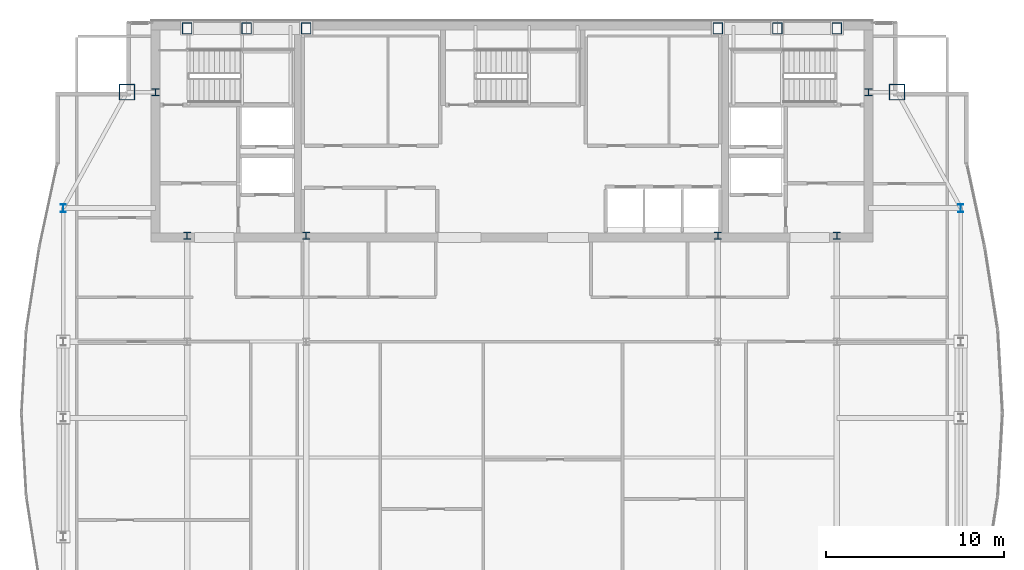
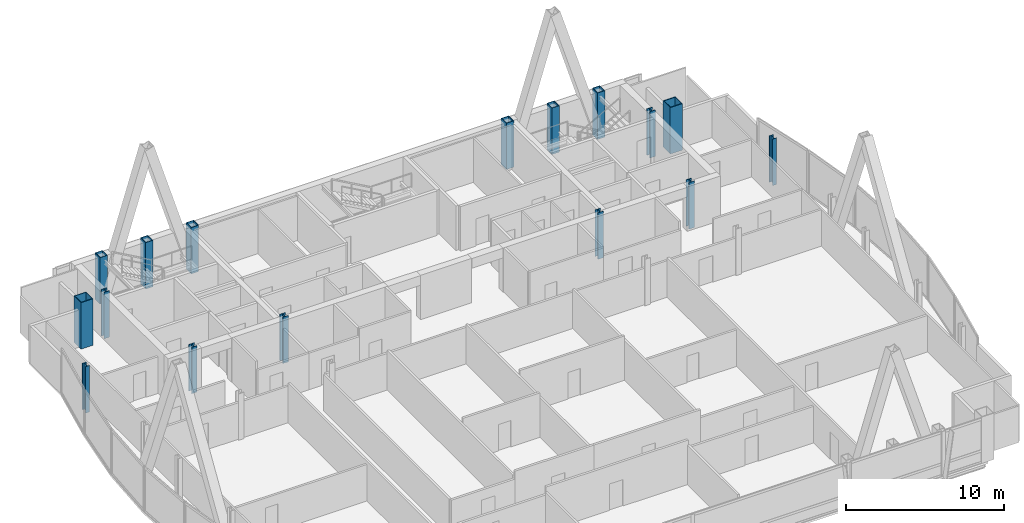
# One storey, part 3 of 29: 16 columns.
"""IFC4 building model written with IfcOpenShell, lengths in metres."""

from ifc_helpers import new_model, si_unit, direction, frame, origin, origin_2d, place, context, subcontext, project, spatial, hollow_rectangle, i_section, extrude, material, material_profile, profile_set, type_object, element, save


model = new_model("IFC4")

# Units and contexts
model_context = context("Model", 3, precision=1e-05, world=origin(), true_north=direction((0.0, 1.0)))
body_context = subcontext(model_context, "Body", "Model", "MODEL_VIEW")
ifc_project = project(units=[si_unit("LENGTHUNIT", "METRE"), si_unit("AREAUNIT", "SQUARE_METRE"), si_unit("VOLUMEUNIT", "CUBIC_METRE"), si_unit("PLANEANGLEUNIT", "RADIAN"), si_unit("MASSUNIT", "GRAM", prefix="KILO")], contexts=[model_context])

# Site, building, storey
site_placement = place(None, origin())
site = spatial("IfcSite", under=ifc_project, at=site_placement, CompositionType="ELEMENT")
building_placement = place(site_placement, origin())
building = spatial("IfcBuilding", under=site, at=building_placement, Name="Khoronbel Lancet Exchange", CompositionType="ELEMENT")
storey_placement = place(building_placement, frame((0.0, 0.0, 314.60009765625)))
storey = spatial("IfcBuildingStorey", under=building, at=storey_placement, Name="L81", CompositionType="ELEMENT", Elevation=314.60009765625)

# Columns
ifc_material_1 = material(Name="Steel S460", Category="steel")
ifc_material_profile_1 = material_profile(ifc_material_1, hollow_rectangle(XDim=0.550048828125, YDim=0.64990234375, WallThickness=0.0400390625, at=origin_2d()), Name="BOX 650x550x40")
ifc_profile_set_1 = profile_set([ifc_material_profile_1], Name="Steel S460")
column_type_1 = type_object("IfcColumnType", Name="COL-EC4", PredefinedType="COLUMN", material=ifc_profile_set_1)
for number, where, z_axis, x_axis, name in (
    (1, (18.22509765625, 53.280029296875, 0.0), (0.0, 0.0, 1.0), (1.0, 0.0, 0.0), "Structural column NC-W1 L81"),
    (2, (21.5625, 53.280029296875, 0.0), (0.0, 0.0, 1.0), (1.0, 0.0, 0.0), "Structural column NC-WM L81"),
    (3, (24.89990234375, 53.280029296875, 0.0), (0.0, 0.0, 1.0), (1.0, 0.0, 0.0), "Structural column NC-W2 L81"),
    (4, (48.0, 53.280029296875, 0.0), (0.0, 0.0, 1.0), (1.0, 0.0, 0.0), "Structural column NC-E1 L81"),
    (5, (51.33740234375, 53.280029296875, 0.0), (0.0, 0.0, 1.0), (1.0, 0.0, 0.0), "Structural column NC-EM L81"),
    (6, (54.675048828125, 53.280029296875, 0.0), (0.0, 0.0, 1.0), (1.0, 0.0, 0.0), "Structural column NC-E2 L81"),
):
    element("IfcColumn", number, at=place(storey_placement, frame(where, z_axis=z_axis, x_axis=x_axis)), inside=storey, type_object=column_type_1, Name=name, PredefinedType="COLUMN", context=body_context, shape_type="SweptSolid", body=[
        extrude(hollow_rectangle(XDim=0.550048828125, YDim=0.64990234375, WallThickness=0.0400390625, at=origin_2d()), origin(), (0.0, 0.0, 1.0), 3.599853515625),
    ])
ifc_material_2 = material(Name="Steel S355", Category="steel")
ifc_material_profile_2 = material_profile(ifc_material_2, i_section(OverallWidth=0.39892578125, OverallDepth=0.39306640625, WebThickness=0.022705078125, FlangeThickness=0.03662109375, at=origin_2d()), Name="HD 400x287")
ifc_profile_set_2 = profile_set([ifc_material_profile_2], Name="Steel S355")
column_type_2 = type_object("IfcColumnType", Name="COL-IC4", PredefinedType="COLUMN", material=ifc_profile_set_2)
for number, where, z_axis, x_axis, name in (
    (7, (16.449951171875, 49.699951171875, 0.0), (0.0, 0.0, 1.0), (1.0, 0.0, 0.0), "Core-flank plumb transfer column CFW L81"),
    (8, (56.449951171875, 49.699951171875, 0.0), (0.0, 0.0, 1.0), (1.0, 0.0, 0.0), "Core-flank plumb transfer column CFE L81"),
    (9, (18.22509765625, 41.64990234375, 0.0), (0.0, 0.0, 1.0), (1.0, 0.0, 0.0), "Core-embedded steel column CTC1 L81"),
    (10, (24.89990234375, 41.64990234375, 0.0), (0.0, 0.0, 1.0), (1.0, 0.0, 0.0), "Core-embedded steel column CTC2 L81"),
    (11, (48.0, 41.64990234375, 0.0), (0.0, 0.0, 1.0), (1.0, 0.0, 0.0), "Core-embedded steel column CTC3 L81"),
    (12, (54.675048828125, 41.64990234375, 0.0), (0.0, 0.0, 1.0), (1.0, 0.0, 0.0), "Core-embedded steel column CTC4 L81"),
):
    element("IfcColumn", number, at=place(storey_placement, frame(where, z_axis=z_axis, x_axis=x_axis)), inside=storey, type_object=column_type_2, Name=name, PredefinedType="COLUMN", context=body_context, shape_type="SweptSolid", body=[
        extrude(i_section(OverallWidth=0.39892578125, OverallDepth=0.39306640625, WebThickness=0.022705078125, FlangeThickness=0.03662109375, at=origin_2d()), origin(), (0.0, 0.0, 1.0), 3.599853515625),
    ])
ifc_material_profile_3 = material_profile(ifc_material_2, i_section(OverallWidth=0.300048828125, OverallDepth=0.449951171875, WebThickness=0.013916015625, FlangeThickness=0.02587890625, at=origin_2d()), Name="HEB 450")
ifc_profile_set_3 = profile_set([ifc_material_profile_3], Name="Steel S355")
column_type_3 = type_object("IfcColumnType", Name="COL-LC2", PredefinedType="COLUMN", material=ifc_profile_set_3)
for number, where, z_axis, x_axis, name in (
    (13, (11.27001953125, 43.199951171875, 0.0), (0.0, 0.0, 1.0), (1.0, 0.0, 0.0), "Structural column WC-4 L81"),
    (14, (61.6298828125, 43.199951171875, 0.0), (0.0, 0.0, 1.0), (1.0, 0.0, 0.0), "Structural column EC-4 L81"),
):
    element("IfcColumn", number, at=place(storey_placement, frame(where, z_axis=z_axis, x_axis=x_axis)), inside=storey, type_object=column_type_3, Name=name, PredefinedType="COLUMN", context=body_context, shape_type="SweptSolid", body=[
        extrude(i_section(OverallWidth=0.300048828125, OverallDepth=0.449951171875, WebThickness=0.013916015625, FlangeThickness=0.02587890625, at=origin_2d()), origin(), (0.0, 0.0, 1.0), 3.599853515625),
    ])
ifc_material_profile_4 = material_profile(ifc_material_1, hollow_rectangle(XDim=0.89990234375, YDim=0.89990234375, WallThickness=0.050048828125, at=origin_2d()), Name="BOX 900x900x50")
ifc_profile_set_4 = profile_set([ifc_material_profile_4], Name="Steel S460")
column_type_4 = type_object("IfcColumnType", Name="COL-MC7", PredefinedType="COLUMN", material=ifc_profile_set_4)
for number, where, z_axis, x_axis, name in (
    (15, (58.050048828125, 49.699951171875, 0.0), (0.0, 0.0, 1.0), (1.0, 0.0, 0.0), "Structural column MC-NE L81"),
    (16, (14.85009765625, 49.699951171875, 0.0), (0.0, 0.0, 1.0), (1.0, 0.0, 0.0), "Structural column MC-NW L81"),
):
    element("IfcColumn", number, at=place(storey_placement, frame(where, z_axis=z_axis, x_axis=x_axis)), inside=storey, type_object=column_type_4, Name=name, PredefinedType="COLUMN", context=body_context, shape_type="SweptSolid", body=[
        extrude(hollow_rectangle(XDim=0.89990234375, YDim=0.89990234375, WallThickness=0.050048828125, at=origin_2d()), origin(), (0.0, 0.0, 1.0), 3.599853515625),
    ])

save(model, "model.ifc")
